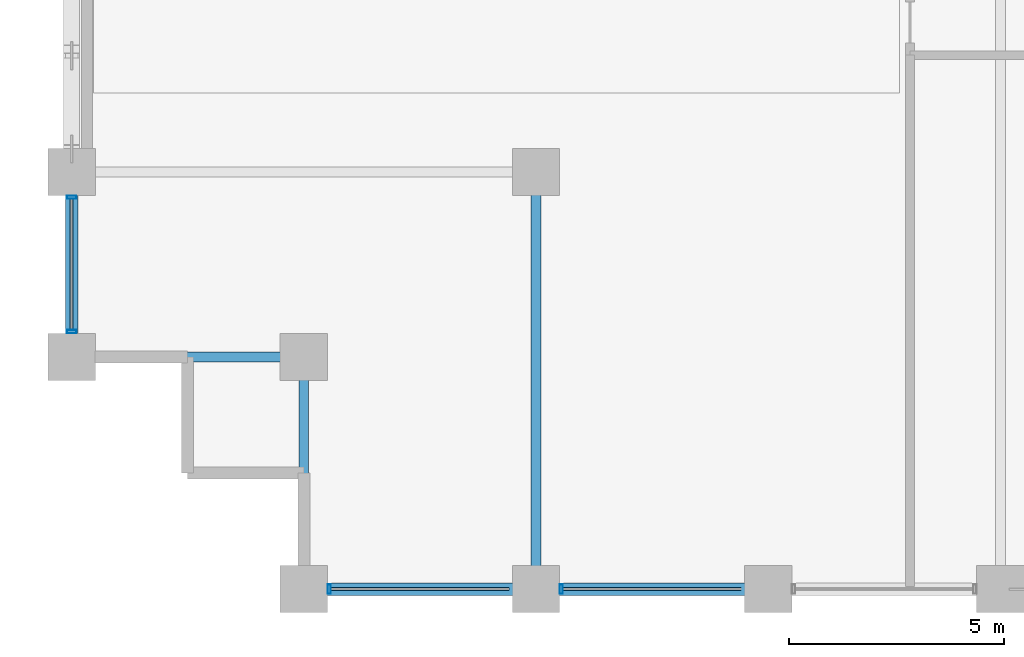
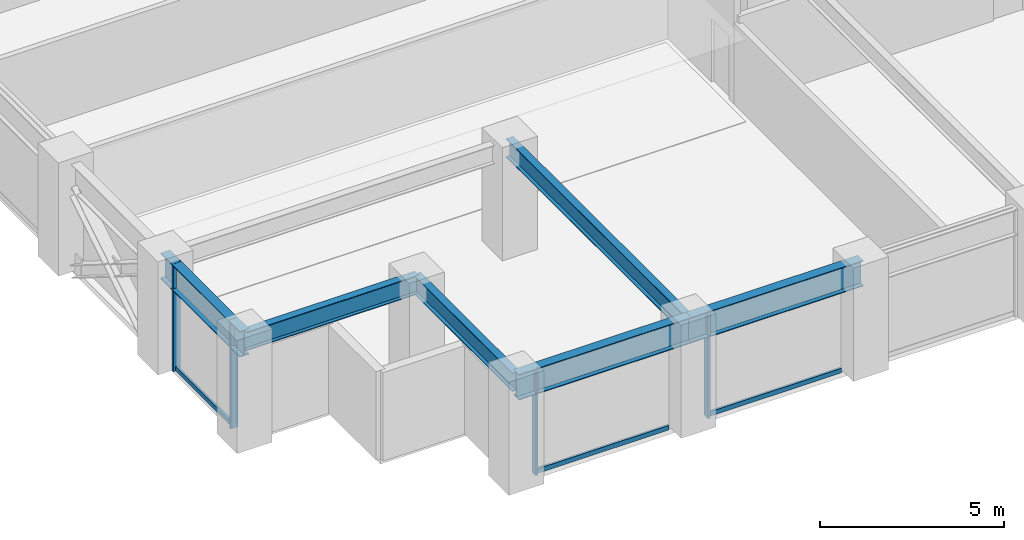
# One storey, part 2 of 24: 7 members, 6 beams, 2 elements without a shape of their own.
"""IFC4 building model written with IfcOpenShell, lengths in metres."""

import ifcopenshell
import ifcopenshell.guid

model = None  # the IFC model being written
_history = None  # IfcOwnerHistory: only IFC2X3 demands one
_inside = {}  # id of a spatial element -> (the spatial element, [elements in it])
_under = {}  # id of a project, library or spatial element -> (it, [spatial elements below it])
_declared = {}  # id of a project -> (the project, [libraries it declares])
_typed = {}  # id of a type object -> (the type object, [elements of that type])
_made_of = {}  # id of a material, layer set ... -> (it, [elements and type objects made of it])


def new_model(schema):
    """Start an empty IFC model of exactly this schema.

    Asked for "IFC4X3", IfcOpenShell would pick the latest addendum, in which some entities
    have other attributes; the version numbers below select the first issue.
    IFC2X3 requires an IfcOwnerHistory on every rooted entity: one is made here for all.
    """
    global model, _history
    if schema == "IFC4X3":
        model = ifcopenshell.file(schema_version=(4, 3, 0, 0))
    else:
        model = ifcopenshell.file(schema=schema)
    _inside.clear()
    _under.clear()
    _declared.clear()
    _typed.clear()
    _made_of.clear()
    _history = None
    if model.schema == "IFC2X3":
        org = make("IfcOrganization", Name="unknown")
        user = make(
            "IfcPersonAndOrganization",
            ThePerson=make("IfcPerson", FamilyName="unknown"),
            TheOrganization=org,
        )
        app = make(
            "IfcApplication",
            ApplicationDeveloper=org,
            Version="unknown",
            ApplicationFullName="unknown",
            ApplicationIdentifier="unknown",
        )
        _history = make(
            "IfcOwnerHistory",
            OwningUser=user,
            OwningApplication=app,
            ChangeAction="ADDED",
            CreationDate=0,
        )
    return model


def make(cls, **values):
    """One entity of the class cls with the attributes given. An attribute that is None is left unset."""
    return model.create_entity(
        cls, **{name: value for name, value in values.items() if value is not None}
    )


def rooted(cls, **values):
    """An entity with a GlobalId (a new one), such as an element, a storey or a relation."""
    return make(cls, GlobalId=ifcopenshell.guid.new(), OwnerHistory=_history, **values)


def si_unit(unit_type, name, prefix=None):
    """IfcSIUnit, for example si_unit("LENGTHUNIT", "METRE", prefix="MILLI")."""
    return make("IfcSIUnit", UnitType=unit_type, Prefix=prefix, Name=name)


def assignment(units):
    """IfcUnitAssignment: the units of a project."""
    return None if units is None else make("IfcUnitAssignment", Units=units)


def point(xyz):
    """IfcCartesianPoint."""
    return None if xyz is None else make("IfcCartesianPoint", Coordinates=xyz)


def direction(xyz):
    """IfcDirection."""
    return None if xyz is None else make("IfcDirection", DirectionRatios=xyz)


def frame(location, z_axis=None, x_axis=None):
    """IfcAxis2Placement3D, a coordinate frame: its origin and axes. An axis left out is left unset."""
    return make(
        "IfcAxis2Placement3D",
        Location=point(location),
        Axis=direction(z_axis),
        RefDirection=direction(x_axis),
    )


def frame_2d(location, x_axis=None):
    """IfcAxis2Placement2D, a coordinate frame in the plane: its origin and x axis."""
    return make(
        "IfcAxis2Placement2D", Location=point(location), RefDirection=direction(x_axis)
    )


def origin():
    """The frame at (0, 0, 0) with its axes left unset."""
    return frame((0.0, 0.0, 0.0))


def origin_2d():
    """The frame at (0, 0) in the plane with its x axis left unset."""
    return frame_2d((0.0, 0.0))


def place(relative_to, where):
    """IfcLocalPlacement: puts the frame where relative to a parent placement (None: the world)."""
    return make(
        "IfcLocalPlacement", PlacementRelTo=relative_to, RelativePlacement=where
    )


def context(
    kind, dimensions, precision=None, world=None, true_north=None, identifier=None
):
    """IfcGeometricRepresentationContext, for example the 3D "Model" context."""
    return make(
        "IfcGeometricRepresentationContext",
        ContextIdentifier=identifier,
        ContextType=kind,
        CoordinateSpaceDimension=dimensions,
        Precision=precision,
        WorldCoordinateSystem=world,
        TrueNorth=true_north,
    )


def subcontext(parent, identifier, kind, view, scale=None):
    """IfcGeometricRepresentationSubContext, for example "Body" below "Model"."""
    return make(
        "IfcGeometricRepresentationSubContext",
        ContextIdentifier=identifier,
        ContextType=kind,
        ParentContext=parent,
        TargetScale=scale,
        TargetView=view,
    )


def project(units=None, contexts=None):
    """IfcProject with its units and contexts."""
    return rooted(
        "IfcProject",
        Name="project",
        RepresentationContexts=contexts,
        UnitsInContext=assignment(units),
    )


def spatial(cls, under=None, at=None, **own):
    """A site, building, storey or space (cls), placed at a placement, below another one or the project."""
    s = rooted(cls, ObjectPlacement=at, **own)
    if under is not None:
        _under.setdefault(under.id(), (under, []))[1].append(s)
    return s


def profile(cls, at=None, kind="AREA", **sizes):
    """A parametric profile (cls). Its sizes go by their IFC names, for example OverallWidth=200.0."""
    return make(cls, ProfileType=kind, Position=at, **sizes)


def hollow_rectangle(**sizes):
    """IfcRectangleHollowProfileDef."""
    return profile("IfcRectangleHollowProfileDef", **sizes)


def i_section(**sizes):
    """IfcIShapeProfileDef."""
    return profile("IfcIShapeProfileDef", **sizes)


def extrude(swept, where, along, depth):
    """IfcExtrudedAreaSolid: the profile swept, set in the frame where, extruded along a direction by depth."""
    return make(
        "IfcExtrudedAreaSolid",
        SweptArea=swept,
        Position=where,
        ExtrudedDirection=direction(along),
        Depth=depth,
    )


def shape(context_of_items, identifier, shape_type, items):
    """IfcShapeRepresentation: the items that make up one representation, for example the "Body"."""
    return make(
        "IfcShapeRepresentation",
        ContextOfItems=context_of_items,
        RepresentationIdentifier=identifier,
        RepresentationType=shape_type,
        Items=items,
    )


def material(Name=None, Category=None):
    """IfcMaterial."""
    return make("IfcMaterial", Name=Name, Category=Category)


def layer(
    of_material, thickness, ventilated=None, Name=None, Category=None, Priority=None
):
    """IfcMaterialLayer: one layer of a wall or slab, of a material (None: an air gap)."""
    return make(
        "IfcMaterialLayer",
        Material=of_material,
        LayerThickness=thickness,
        IsVentilated=ventilated,
        Name=Name,
        Category=Category,
        Priority=Priority,
    )


def layer_set(layers, Name=None):
    """IfcMaterialLayerSet."""
    return make("IfcMaterialLayerSet", MaterialLayers=layers, LayerSetName=Name)


def material_profile(
    of_material, cross_section, Name=None, Category=None, Priority=None
):
    """IfcMaterialProfile: a cross section and its material."""
    return make(
        "IfcMaterialProfile",
        Name=Name,
        Material=of_material,
        Profile=cross_section,
        Priority=Priority,
        Category=Category,
    )


def profile_set(profiles, Name=None, composite=None):
    """IfcMaterialProfileSet."""
    return make(
        "IfcMaterialProfileSet",
        Name=Name,
        MaterialProfiles=profiles,
        CompositeProfile=composite,
    )


def made_of(thing, what):
    """Note that an element or type object is made of a material, layer set ...; save() writes the relation."""
    if what is not None:
        _made_of.setdefault(what.id(), (what, []))[1].append(thing)
    return thing


def type_object(cls, material=None, **own):
    """A type object (cls), such as IfcWallType, which elements share."""
    return made_of(rooted(cls, **own), material)


def element(
    cls,
    number,
    at=None,
    inside=None,
    cuts=None,
    type_object=None,
    material=None,
    context=None,
    identifier="Body",
    shape_type=None,
    held_by="IfcProductDefinitionShape",
    body=None,
    shapes=None,
    **own,
):
    """One element of the class cls, such as IfcWall. Its Tag is "e" and its number.

    at: its placement. inside: the storey or other place that contains it. cuts: it is an
    opening in that element (IfcRelVoidsElement). A single representation is given by context,
    identifier, shape_type and body (its items); several are given by shapes. held_by: the class
    of the entity that holds the representations. save() writes the other relations.
    """
    e = rooted(cls, Tag="e%d" % number, ObjectPlacement=at, **own)
    if body is not None:
        shapes = [shape(context, identifier, shape_type, body)]
    if shapes is not None:
        e.Representation = make(held_by, Representations=shapes)
    if inside is not None:
        _inside.setdefault(inside.id(), (inside, []))[1].append(e)
    if cuts is not None:
        rooted(
            "IfcRelVoidsElement", RelatingBuildingElement=cuts, RelatedOpeningElement=e
        )
    if type_object is not None:
        _typed.setdefault(type_object.id(), (type_object, []))[1].append(e)
    return made_of(e, material)


def aggregate(whole, parts):
    """IfcRelAggregates: a whole, such as a stair, and the parts it consists of."""
    return rooted("IfcRelAggregates", RelatingObject=whole, RelatedObjects=parts)


def save(model, path):
    """Write the relations noted so far, then the file.

    IfcRelAggregates (storeys below a building ...), IfcRelContainedInSpatialStructure (elements
    in a storey), IfcRelDefinesByType, IfcRelAssociatesMaterial and IfcRelDeclares: one each for
    every whole, place, type object, material and project.
    """
    for whole, parts in _under.values():
        aggregate(whole, parts)
    for where, things in _inside.values():
        rooted(
            "IfcRelContainedInSpatialStructure",
            RelatedElements=things,
            RelatingStructure=where,
        )
    for kind, things in _typed.values():
        rooted("IfcRelDefinesByType", RelatedObjects=things, RelatingType=kind)
    for what, things in _made_of.values():
        rooted("IfcRelAssociatesMaterial", RelatedObjects=things, RelatingMaterial=what)
    for by, libraries in _declared.values():
        rooted("IfcRelDeclares", RelatingContext=by, RelatedDefinitions=libraries)
    model.write(path)


model = new_model("IFC4")

# Units and contexts
model_context = context("Model", 3, precision=1e-05, world=origin(), true_north=direction((0.0, 1.0)))
body_context = subcontext(model_context, "Body", "Model", "MODEL_VIEW")
ifc_project = project(units=[si_unit("LENGTHUNIT", "METRE"), si_unit("AREAUNIT", "SQUARE_METRE"), si_unit("VOLUMEUNIT", "CUBIC_METRE"), si_unit("PLANEANGLEUNIT", "RADIAN"), si_unit("MASSUNIT", "GRAM", prefix="KILO")], contexts=[model_context])

# Site, building, storey
site_placement = place(None, origin())
site = spatial("IfcSite", under=ifc_project, at=site_placement, CompositionType="ELEMENT")
building_placement = place(site_placement, origin())
building = spatial("IfcBuilding", under=site, at=building_placement, Name="Surkhivell Harbour Commons", CompositionType="ELEMENT")
storey_placement = place(building_placement, frame((0.0, 0.0, 105.75)))
storey = spatial("IfcBuildingStorey", under=building, at=storey_placement, Name="L27", CompositionType="ELEMENT", Elevation=105.75)

# Beams
ifc_material_1 = material(Name="Steel S355", Category="steel")
ifc_material_profile_1 = material_profile(ifc_material_1, i_section(OverallWidth=0.22998046875, OverallDepth=0.616943359375, WebThickness=0.01318359375, FlangeThickness=0.022216796875, at=origin_2d()), Name="UB610x229x140")
ifc_profile_set_1 = profile_set([ifc_material_profile_1], Name="Steel S355")
beam_type_1 = type_object("IfcBeamType", Name="BM-GRD-610B", PredefinedType="BEAM", material=ifc_profile_set_1)
for number, where, z_axis, x_axis, name in (
    (1, (-32.39990234375, -20.5, 3.261474609375), (1.0, 0.0, 0.0), (0.0, 1.0, 0.0), "L27 Floor Girder (-32.4,-20.5)"),
    (2, (-27.0, -25.89990234375, 3.261474609375), (0.0, 1.0, 0.0), (-1.0, 0.0, 0.0), "L27 Floor Girder (-27.0,-25.9)"),
):
    element("IfcBeam", number, at=place(storey_placement, frame(where, z_axis=z_axis, x_axis=x_axis)), inside=storey, type_object=beam_type_1, Name=name, PredefinedType="BEAM", context=body_context, shape_type="SweptSolid", body=[
        extrude(i_section(OverallWidth=0.22998046875, OverallDepth=0.616943359375, WebThickness=0.01318359375, FlangeThickness=0.022216796875, at=origin_2d()), origin(), (0.0, 0.0, 1.0), 5.39990234375),
    ])
beam_1_placement = place(storey_placement, frame((-21.60009765625, -25.89990234375, 3.261474609375), z_axis=(0.0, 1.0, 0.0), x_axis=(-1.0, 0.0, 0.0)))
element("IfcBeam", 3, at=beam_1_placement, inside=storey, type_object=beam_type_1, Name="L27 Floor Girder (-21.6,-25.9)", PredefinedType="BEAM", context=body_context, shape_type="SweptSolid", body=[
    extrude(i_section(OverallWidth=0.22998046875, OverallDepth=0.616943359375, WebThickness=0.01318359375, FlangeThickness=0.022216796875, at=origin_2d()), origin(), (0.0, 0.0, 1.0), 9.699951171875),
])
ifc_material_2 = material(Name="Steel S460", Category="steel")
ifc_material_profile_2 = material_profile(ifc_material_2, i_section(OverallWidth=0.2939453125, OverallDepth=0.85107421875, WebThickness=0.01611328125, FlangeThickness=0.02685546875, at=origin_2d()), Name="UB838x292x226")
ifc_profile_set_2 = profile_set([ifc_material_profile_2], Name="Steel S460")
beam_type_2 = type_object("IfcBeamType", Name="BM-SPN-838", PredefinedType="SPANDREL", material=ifc_profile_set_2)
beam_2_placement = place(storey_placement, frame((-32.39990234375, -20.5, 3.14453125), z_axis=(0.0, 1.0, 0.0), x_axis=(-1.0, 0.0, 0.0)))
element("IfcBeam", 4, at=beam_2_placement, inside=storey, type_object=beam_type_2, Name="L27 Tube Spandrel (-32.4,-20.5)", PredefinedType="SPANDREL", context=body_context, shape_type="SweptSolid", body=[
    extrude(i_section(OverallWidth=0.2939453125, OverallDepth=0.85107421875, WebThickness=0.01611328125, FlangeThickness=0.02685546875, at=origin_2d()), origin(), (0.0, 0.0, 1.0), 4.300048828125),
])
beam_3_placement = place(storey_placement, frame((-27.0, -25.89990234375, 3.14453125), z_axis=(1.0, 0.0, 0.0), x_axis=(0.0, 1.0, 0.0)))
element("IfcBeam", 5, at=beam_3_placement, inside=storey, type_object=beam_type_2, Name="L27 Tube Spandrel (-27.0,-25.9)", PredefinedType="SPANDREL", context=body_context, shape_type="SweptSolid", body=[
    extrude(i_section(OverallWidth=0.2939453125, OverallDepth=0.85107421875, WebThickness=0.01611328125, FlangeThickness=0.02685546875, at=origin_2d()), origin(), (0.0, 0.0, 1.0), 5.39990234375),
])
beam_4_placement = place(storey_placement, frame((-21.60009765625, -25.89990234375, 3.14453125), z_axis=(1.0, 0.0, 0.0), x_axis=(0.0, 1.0, 0.0)))
element("IfcBeam", 6, at=beam_4_placement, inside=storey, type_object=beam_type_2, Name="L27 Tube Spandrel (-21.6,-25.9)", PredefinedType="SPANDREL", context=body_context, shape_type="SweptSolid", body=[
    extrude(i_section(OverallWidth=0.2939453125, OverallDepth=0.85107421875, WebThickness=0.01611328125, FlangeThickness=0.02685546875, at=origin_2d()), origin(), (0.0, 0.0, 1.0), 5.400146484375),
])

# Curtain wall, members
ifc_material_3 = material(Name="Anodised pale-metal aluminium and insulated glazing", Category="aluminium")
ifc_layer = layer(ifc_material_3, 0.205078125)
ifc_layer_set = layer_set([ifc_layer], Name="Anodised pale-metal aluminium and insulated glazing")
curtain_wall_type = type_object("IfcCurtainWallType", Name="CW-SYS-Z2", PredefinedType="NOTDEFINED", material=ifc_layer_set)
curtain_wall_1_placement = place(storey_placement, origin())
curtain_wall_1 = element("IfcCurtainWall", 7, at=curtain_wall_1_placement, inside=storey, type_object=curtain_wall_type, Name="L27 Curtain Wall CW-L27-E00S1", PredefinedType="NOTDEFINED")
ifc_material_4 = material(Name="Anodised pale-metal aluminium alloy 6063-T6", Category="aluminium")
ifc_material_profile_3 = material_profile(ifc_material_4, hollow_rectangle(XDim=0.074951171875, YDim=0.219970703125, WallThickness=0.00390625, at=origin_2d()), Name="ALU-MULL-75x220")
ifc_profile_set_3 = profile_set([ifc_material_profile_3], Name="Anodised pale-metal aluminium alloy 6063-T6")
member_type_1 = type_object("IfcMemberType", Name="CWM-220", PredefinedType="MULLION", material=ifc_profile_set_3)
member_1_placement = place(storey_placement, frame((-26.410400390625, -25.89990234375, 0.0), z_axis=(0.0, 0.0, 1.0), x_axis=(1.0, 0.0, 0.0)))
member_1 = element("IfcMember", 8, at=member_1_placement, type_object=member_type_1, Name="CW-Z2 mullion 1", PredefinedType="MULLION", context=body_context, shape_type="SweptSolid", body=[
    extrude(hollow_rectangle(XDim=0.074951171875, YDim=0.219970703125, WallThickness=0.00390625, at=origin_2d()), origin(), (0.0, 0.0, 1.0), 3.570068359375),
])
member_2_placement = place(storey_placement, frame((-21.010498046875, -25.89990234375, 0.0), z_axis=(0.0, 0.0, 1.0), x_axis=(1.0, 0.0, 0.0)))
member_2 = element("IfcMember", 9, at=member_2_placement, type_object=member_type_1, Name="CW-Z2 mullion 2", PredefinedType="MULLION", context=body_context, shape_type="SweptSolid", body=[
    extrude(hollow_rectangle(XDim=0.074951171875, YDim=0.219970703125, WallThickness=0.00390625, at=origin_2d()), origin(), (0.0, 0.0, 1.0), 3.570068359375),
])

curtain_wall_2_placement = place(storey_placement, origin())
curtain_wall_2 = element("IfcCurtainWall", 10, at=curtain_wall_2_placement, inside=storey, type_object=curtain_wall_type, Name="L27 Curtain Wall CW-L27-E12S2", PredefinedType="NOTDEFINED")
member_3_placement = place(storey_placement, frame((-32.39990234375, -16.78955078125, 0.0), z_axis=(0.0, 0.0, 1.0), x_axis=(0.0, -1.0, 0.0)))
member_3 = element("IfcMember", 11, at=member_3_placement, type_object=member_type_1, Name="CW-Z2 mullion 1", PredefinedType="MULLION", context=body_context, shape_type="SweptSolid", body=[
    extrude(hollow_rectangle(XDim=0.074951171875, YDim=0.219970703125, WallThickness=0.00390625, at=origin_2d()), origin(), (0.0, 0.0, 1.0), 3.570068359375),
])
member_4_placement = place(storey_placement, frame((-32.39990234375, -19.910400390625, 0.0), z_axis=(0.0, 0.0, 1.0), x_axis=(0.0, -1.0, 0.0)))
member_4 = element("IfcMember", 12, at=member_4_placement, type_object=member_type_1, Name="CW-Z2 mullion 2", PredefinedType="MULLION", context=body_context, shape_type="SweptSolid", body=[
    extrude(hollow_rectangle(XDim=0.074951171875, YDim=0.219970703125, WallThickness=0.00390625, at=origin_2d()), origin(), (0.0, 0.0, 1.0), 3.570068359375),
])

# Member
ifc_material_profile_4 = material_profile(ifc_material_4, hollow_rectangle(XDim=0.074951171875, YDim=0.14990234375, WallThickness=0.00341796875, at=origin_2d()), Name="ALU-TRAN-75x150")
ifc_profile_set_4 = profile_set([ifc_material_profile_4], Name="Anodised pale-metal aluminium alloy 6063-T6")
member_type_2 = type_object("IfcMemberType", Name="CWT-150", PredefinedType="USERDEFINED", material=ifc_profile_set_4)
member_5_placement = place(storey_placement, frame((-26.373046875, -25.89990234375, 0.074951171875), z_axis=(1.0, 0.0, 0.0), x_axis=(0.0, 1.0, 0.0)))
member_5 = element("IfcMember", 13, at=member_5_placement, type_object=member_type_2, Name="CW-Z2 transom 1.1", ObjectType="TRANSOM", PredefinedType="USERDEFINED", context=body_context, shape_type="SweptSolid", body=[
    extrude(hollow_rectangle(XDim=0.074951171875, YDim=0.14990234375, WallThickness=0.00341796875, at=origin_2d()), origin(), (0.0, 0.0, 1.0), 4.14599609375),
])

member_6_placement = place(storey_placement, frame((-20.972900390625, -25.89990234375, 0.074951171875), z_axis=(1.0, 0.0, 0.0), x_axis=(0.0, 1.0, 0.0)))
member_6 = element("IfcMember", 14, at=member_6_placement, type_object=member_type_2, Name="CW-Z2 transom 2.1", ObjectType="TRANSOM", PredefinedType="USERDEFINED", context=body_context, shape_type="SweptSolid", body=[
    extrude(hollow_rectangle(XDim=0.074951171875, YDim=0.14990234375, WallThickness=0.00341796875, at=origin_2d()), origin(), (0.0, 0.0, 1.0), 4.14599609375),
])

aggregate(curtain_wall_1, [member_1, member_5, member_2, member_6])

member_7_placement = place(storey_placement, frame((-32.39990234375, -16.826904296875, 0.074951171875), z_axis=(0.0, -1.0, 0.0), x_axis=(1.0, 0.0, 0.0)))
member_7 = element("IfcMember", 15, at=member_7_placement, type_object=member_type_2, Name="CW-Z2 transom 1.1", ObjectType="TRANSOM", PredefinedType="USERDEFINED", context=body_context, shape_type="SweptSolid", body=[
    extrude(hollow_rectangle(XDim=0.074951171875, YDim=0.14990234375, WallThickness=0.00341796875, at=origin_2d()), origin(), (0.0, 0.0, 1.0), 3.046142578125),
])

aggregate(curtain_wall_2, [member_3, member_4, member_7])

save(model, "model.ifc")
